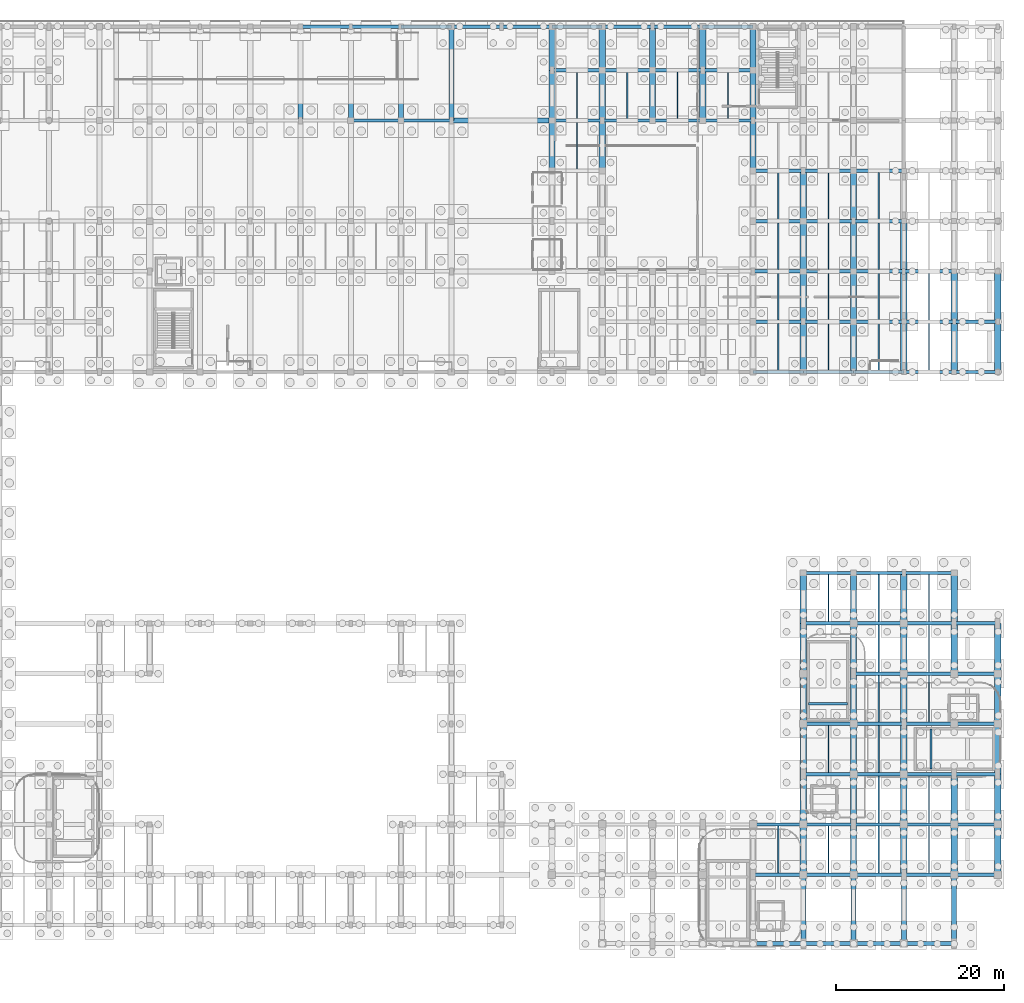
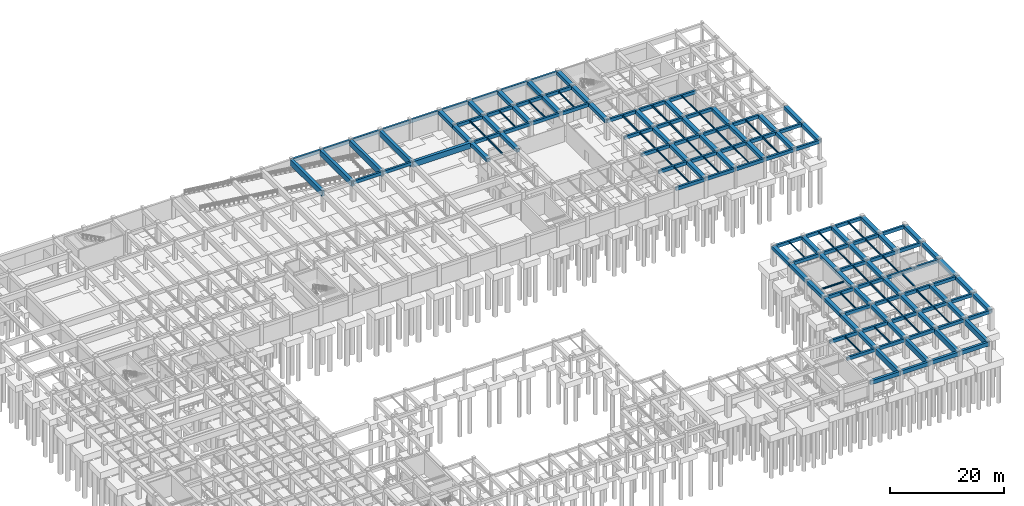
# One storey, part 15 of 32: 171 beams.
"""IFC4 building model written with IfcOpenShell, lengths in metres."""

from ifc_helpers import new_model, si_unit, direction, frame, origin, origin_2d, place, context, subcontext, project, spatial, rectangle, i_section, extrude, material, material_profile, profile_set, type_object, element, save


model = new_model("IFC4")

# Units and contexts
model_context = context("Model", 3, precision=1e-05, world=origin(), true_north=direction((0.0, 1.0)))
body_context = subcontext(model_context, "Body", "Model", "MODEL_VIEW")
ifc_project = project(units=[si_unit("LENGTHUNIT", "METRE"), si_unit("AREAUNIT", "SQUARE_METRE"), si_unit("VOLUMEUNIT", "CUBIC_METRE"), si_unit("PLANEANGLEUNIT", "RADIAN"), si_unit("MASSUNIT", "GRAM", prefix="KILO")], contexts=[model_context])

# Site, building, storey
site_placement = place(None, origin())
site = spatial("IfcSite", under=ifc_project, at=site_placement, CompositionType="ELEMENT")
building_placement = place(site_placement, origin())
building = spatial("IfcBuilding", under=site, at=building_placement, Name="Varnakota Square Police Headquarters", CompositionType="ELEMENT")
storey_placement = place(building_placement, frame((0.0, 0.0, -4.5)))
storey = spatial("IfcBuildingStorey", under=building, at=storey_placement, Name="B1", CompositionType="ELEMENT", Elevation=-4.5)

# Beams
ifc_material_1 = material(Name="Steel IS 2062 Grade 350", Category="steel")
ifc_material_profile_1 = material_profile(ifc_material_1, i_section(OverallWidth=0.25, OverallDepth=0.300048828125, WebThickness=0.009521484375, FlangeThickness=0.010498046875, FilletRadius=0.011962890625, at=origin_2d()), Name="ISHB 300")
ifc_profile_set_1 = profile_set([ifc_material_profile_1], Name="Steel IS 2062 Grade 350")
beam_type_1 = type_object("IfcBeamType", Name="BM-ISHB300", PredefinedType="BEAM", material=ifc_profile_set_1)
beam_1_placement = place(storey_placement, frame((153.25, 21.60009765625, 4.070068359375), z_axis=(0.0, 1.0, 0.0), x_axis=(-1.0, 0.0, 0.0)))
element("IfcBeam", 1, at=beam_1_placement, inside=storey, type_object=beam_type_1, Name="Stair landing support beam BM-LND-0018", PredefinedType="BEAM", context=body_context, shape_type="SweptSolid", body=[
    extrude(i_section(OverallWidth=0.25, OverallDepth=0.300048828125, WebThickness=0.009521484375, FlangeThickness=0.010498046875, FilletRadius=0.011962890625, at=origin_2d()), origin(), (0.0, 0.0, 1.0), 4.7998046875),
])
beam_2_placement = place(storey_placement, frame((138.60009765625, 29.400146484375, 4.070068359375), z_axis=(1.0, 0.0, 0.0), x_axis=(0.0, 1.0, 0.0)))
element("IfcBeam", 2, at=beam_2_placement, inside=storey, type_object=beam_type_1, Name="Stair landing support beam BM-LND-0033", PredefinedType="BEAM", context=body_context, shape_type="SweptSolid", body=[
    extrude(i_section(OverallWidth=0.25, OverallDepth=0.300048828125, WebThickness=0.009521484375, FlangeThickness=0.010498046875, FilletRadius=0.011962890625, at=origin_2d()), origin(), (0.0, 0.0, 1.0), 4.699951171875),
])
ifc_material_profile_2 = material_profile(ifc_material_1, i_section(OverallWidth=0.139892578125, OverallDepth=0.300048828125, WebThickness=0.0078125, FlangeThickness=0.01318359375, FilletRadius=0.013916015625, at=origin_2d()), Name="ISMB 300")
ifc_profile_set_2 = profile_set([ifc_material_profile_2], Name="Steel IS 2062 Grade 350")
beam_type_2 = type_object("IfcBeamType", Name="BM-ISMB300", PredefinedType="JOIST", material=ifc_profile_set_2)
for number, where, z_axis, x_axis, name in (
    (3, (117.0, 99.197998046875, 4.050048828125), (0.0, 1.0, 0.0), (-1.0, 0.0, 0.0), "BMG-B1-0644"),
    (4, (135.0, 9.197998046875, 4.050048828125), (0.0, 1.0, 0.0), (-1.0, 0.0, 0.0), "BMG-B1-0652"),
    (5, (135.0, 81.197998046875, 4.050048828125), (0.0, 1.0, 0.0), (-1.0, 0.0, 0.0), "BMG-B1-0655"),
    (6, (141.0, 21.197998046875, 4.050048828125), (0.0, 1.0, 0.0), (-1.0, 0.0, 0.0), "BMG-B1-0659"),
    (7, (141.0, 39.197998046875, 4.050048828125), (0.0, 1.0, 0.0), (-1.0, 0.0, 0.0), "BMG-B1-0660"),
    (8, (141.0, 75.197998046875, 4.050048828125), (0.0, 1.0, 0.0), (-1.0, 0.0, 0.0), "BMG-B1-0662"),
    (9, (147.0, 15.197998046875, 4.050048828125), (0.0, 1.0, 0.0), (-1.0, 0.0, 0.0), "BMG-B1-0668"),
    (10, (147.0, 33.197998046875, 4.050048828125), (0.0, 1.0, 0.0), (-1.0, 0.0, 0.0), "BMG-B1-0671"),
    (11, (147.0, 69.197998046875, 4.050048828125), (0.0, 1.0, 0.0), (-1.0, 0.0, 0.0), "BMG-B1-0673"),
    (12, (147.0, 87.197998046875, 4.050048828125), (0.0, 1.0, 0.0), (-1.0, 0.0, 0.0), "BMG-B1-0676"),
    (13, (153.0, 9.197998046875, 4.050048828125), (0.0, 1.0, 0.0), (-1.0, 0.0, 0.0), "BMG-B1-0677"),
    (14, (153.0, 27.197998046875, 4.050048828125), (0.0, 1.0, 0.0), (-1.0, 0.0, 0.0), "BMG-B1-0679"),
):
    element("IfcBeam", number, at=place(storey_placement, frame(where, z_axis=z_axis, x_axis=x_axis)), inside=storey, type_object=beam_type_2, Name=name, PredefinedType="JOIST", context=body_context, shape_type="SweptSolid", body=[
        extrude(i_section(OverallWidth=0.139892578125, OverallDepth=0.300048828125, WebThickness=0.0078125, FlangeThickness=0.01318359375, FilletRadius=0.013916015625, at=origin_2d()), origin(), (0.0, 0.0, 1.0), 5.60400390625),
    ])
ifc_material_profile_3 = material_profile(ifc_material_1, i_section(OverallWidth=0.139892578125, OverallDepth=0.35009765625, WebThickness=0.008056640625, FlangeThickness=0.01416015625, FilletRadius=0.013916015625, at=origin_2d()), Name="ISMB 350")
ifc_profile_set_3 = profile_set([ifc_material_profile_3], Name="Steel IS 2062 Grade 350")
beam_type_3 = type_object("IfcBeamType", Name="BM-ISMB350", PredefinedType="JOIST", material=ifc_profile_set_3)
for number, where, z_axis, x_axis, name in (
    (15, (111.0, 99.197998046875, 4.02490234375), (0.0, 1.0, 0.0), (-1.0, 0.0, 0.0), "BMG-B1-0640"),
    (16, (129.0, 99.197998046875, 4.02490234375), (0.0, 1.0, 0.0), (-1.0, 0.0, 0.0), "BMG-B1-0651"),
    (17, (135.0, 75.197998046875, 4.02490234375), (0.0, 1.0, 0.0), (-1.0, 0.0, 0.0), "BMG-B1-0654"),
    (18, (141.0, 69.197998046875, 4.02490234375), (0.0, 1.0, 0.0), (-1.0, 0.0, 0.0), "BMG-B1-0661"),
    (19, (141.0, 87.197998046875, 4.02490234375), (0.0, 1.0, 0.0), (-1.0, 0.0, 0.0), "BMG-B1-0664"),
    (20, (147.0, 9.197998046875, 4.02490234375), (0.0, 1.0, 0.0), (-1.0, 0.0, 0.0), "BMG-B1-0667"),
    (21, (147.0, 27.197998046875, 4.02490234375), (0.0, 1.0, 0.0), (-1.0, 0.0, 0.0), "BMG-B1-0670"),
    (22, (147.0, 81.197998046875, 4.02490234375), (0.0, 1.0, 0.0), (-1.0, 0.0, 0.0), "BMG-B1-0675"),
    (23, (153.0, 39.197998046875, 4.02490234375), (0.0, 1.0, 0.0), (-1.0, 0.0, 0.0), "BMG-B1-0681"),
    (24, (153.0, 75.197998046875, 4.02490234375), (0.0, 1.0, 0.0), (-1.0, 0.0, 0.0), "BMG-B1-0683"),
):
    element("IfcBeam", number, at=place(storey_placement, frame(where, z_axis=z_axis, x_axis=x_axis)), inside=storey, type_object=beam_type_3, Name=name, PredefinedType="JOIST", context=body_context, shape_type="SweptSolid", body=[
        extrude(i_section(OverallWidth=0.139892578125, OverallDepth=0.35009765625, WebThickness=0.008056640625, FlangeThickness=0.01416015625, FilletRadius=0.013916015625, at=origin_2d()), origin(), (0.0, 0.0, 1.0), 5.60400390625),
    ])
ifc_material_profile_4 = material_profile(ifc_material_1, i_section(OverallWidth=0.139892578125, OverallDepth=0.39990234375, WebThickness=0.0087890625, FlangeThickness=0.01611328125, FilletRadius=0.013916015625, at=origin_2d()), Name="ISMB 400")
ifc_profile_set_4 = profile_set([ifc_material_profile_4], Name="Steel IS 2062 Grade 350")
beam_type_4 = type_object("IfcBeamType", Name="BM-ISMB400", PredefinedType="JOIST", material=ifc_profile_set_4)
for number, where, z_axis, x_axis, name in (
    (25, (111.0, 93.197998046875, 4.0), (0.0, 1.0, 0.0), (-1.0, 0.0, 0.0), "BMG-B1-0639"),
    (26, (123.0, 99.197998046875, 4.0), (0.0, 1.0, 0.0), (-1.0, 0.0, 0.0), "BMG-B1-0648"),
    (27, (135.0, 69.197998046875, 4.0), (0.0, 1.0, 0.0), (-1.0, 0.0, 0.0), "BMG-B1-0653"),
    (28, (135.0, 87.197998046875, 4.0), (0.0, 1.0, 0.0), (-1.0, 0.0, 0.0), "BMG-B1-0656"),
    (29, (141.0, 9.197998046875, 4.0), (0.0, 1.0, 0.0), (-1.0, 0.0, 0.0), "BMG-B1-0658"),
    (30, (141.0, 81.197998046875, 4.0), (0.0, 1.0, 0.0), (-1.0, 0.0, 0.0), "BMG-B1-0663"),
    (31, (147.0, 21.197998046875, 4.0), (0.0, 1.0, 0.0), (-1.0, 0.0, 0.0), "BMG-B1-0669"),
    (32, (147.0, 39.197998046875, 4.0), (0.0, 1.0, 0.0), (-1.0, 0.0, 0.0), "BMG-B1-0672"),
    (33, (147.0, 75.197998046875, 4.0), (0.0, 1.0, 0.0), (-1.0, 0.0, 0.0), "BMG-B1-0674"),
    (34, (153.0, 15.197998046875, 4.0), (0.0, 1.0, 0.0), (-1.0, 0.0, 0.0), "BMG-B1-0678"),
    (35, (153.0, 33.197998046875, 4.0), (0.0, 1.0, 0.0), (-1.0, 0.0, 0.0), "BMG-B1-0680"),
    (36, (153.0, 69.197998046875, 4.0), (0.0, 1.0, 0.0), (-1.0, 0.0, 0.0), "BMG-B1-0682"),
):
    element("IfcBeam", number, at=place(storey_placement, frame(where, z_axis=z_axis, x_axis=x_axis)), inside=storey, type_object=beam_type_4, Name=name, PredefinedType="JOIST", context=body_context, shape_type="SweptSolid", body=[
        extrude(i_section(OverallWidth=0.139892578125, OverallDepth=0.39990234375, WebThickness=0.0087890625, FlangeThickness=0.01611328125, FilletRadius=0.013916015625, at=origin_2d()), origin(), (0.0, 0.0, 1.0), 5.60400390625),
    ])
ifc_material_2 = material(Name="Concrete M40", Category="concrete")
ifc_material_profile_5 = material_profile(ifc_material_2, rectangle(XDim=0.39990234375, YDim=0.699951171875, at=origin_2d()), Name="RC 400x700")
ifc_profile_set_5 = profile_set([ifc_material_profile_5], Name="Concrete M40")
beam_type_5 = type_object("IfcBeamType", Name="BM-RC400x700", PredefinedType="BEAM", material=ifc_profile_set_5)
for number, where, z_axis, x_axis, name in (
    (37, (132.0, 9.0, 3.85009765625), (1.0, 0.0, 0.0), (0.0, 1.0, 0.0), "BMG-B1-0040"),
    (38, (138.0, 9.0, 3.85009765625), (1.0, 0.0, 0.0), (0.0, 1.0, 0.0), "BMG-B1-0041"),
    (39, (144.0, 9.0, 3.85009765625), (1.0, 0.0, 0.0), (0.0, 1.0, 0.0), "BMG-B1-0042"),
    (40, (150.0, 9.0, 3.85009765625), (1.0, 0.0, 0.0), (0.0, 1.0, 0.0), "BMG-B1-0043"),
):
    element("IfcBeam", number, at=place(storey_placement, frame(where, z_axis=z_axis, x_axis=x_axis)), inside=storey, type_object=beam_type_5, Name=name, PredefinedType="BEAM", context=body_context, shape_type="SweptSolid", body=[
        extrude(rectangle(XDim=0.39990234375, YDim=0.699951171875, at=origin_2d()), origin(), (0.0, 0.0, 1.0), 6.0),
    ])
beam_3_placement = place(storey_placement, frame((156.0, 9.0, 3.85009765625), z_axis=(1.0, 0.0, 0.0), x_axis=(0.0, 1.0, 0.0)))
element("IfcBeam", 41, at=beam_3_placement, inside=storey, type_object=beam_type_5, Name="BMG-B1-0044", PredefinedType="BEAM", context=body_context, shape_type="SweptSolid", body=[
    extrude(rectangle(XDim=0.39990234375, YDim=0.699951171875, at=origin_2d()), origin(), (0.0, 0.0, 1.0), 5.199951171875),
])
for number, where, z_axis, x_axis, name in (
    (42, (132.0, 15.0, 3.85009765625), (1.0, 0.0, 0.0), (0.0, 1.0, 0.0), "BMG-B1-0059"),
    (43, (138.0, 15.0, 3.85009765625), (1.0, 0.0, 0.0), (0.0, 1.0, 0.0), "BMG-B1-0060"),
    (44, (144.0, 15.0, 3.85009765625), (1.0, 0.0, 0.0), (0.0, 1.0, 0.0), "BMG-B1-0061"),
    (45, (150.0, 15.0, 3.85009765625), (1.0, 0.0, 0.0), (0.0, 1.0, 0.0), "BMG-B1-0062"),
):
    element("IfcBeam", number, at=place(storey_placement, frame(where, z_axis=z_axis, x_axis=x_axis)), inside=storey, type_object=beam_type_5, Name=name, PredefinedType="BEAM", context=body_context, shape_type="SweptSolid", body=[
        extrude(rectangle(XDim=0.39990234375, YDim=0.699951171875, at=origin_2d()), origin(), (0.0, 0.0, 1.0), 6.0),
    ])
beam_4_placement = place(storey_placement, frame((156.0, 15.0, 3.85009765625), z_axis=(1.0, 0.0, 0.0), x_axis=(0.0, 1.0, 0.0)))
element("IfcBeam", 46, at=beam_4_placement, inside=storey, type_object=beam_type_5, Name="BMG-B1-0063", PredefinedType="BEAM", context=body_context, shape_type="SweptSolid", body=[
    extrude(rectangle(XDim=0.39990234375, YDim=0.699951171875, at=origin_2d()), origin(), (0.0, 0.0, 1.0), 5.199951171875),
])
for number, where, z_axis, x_axis, name in (
    (47, (138.0, 21.0, 3.85009765625), (1.0, 0.0, 0.0), (0.0, 1.0, 0.0), "BMG-B1-0073"),
    (48, (144.0, 21.0, 3.85009765625), (1.0, 0.0, 0.0), (0.0, 1.0, 0.0), "BMG-B1-0074"),
    (49, (150.0, 21.0, 3.85009765625), (1.0, 0.0, 0.0), (0.0, 1.0, 0.0), "BMG-B1-0075"),
):
    element("IfcBeam", number, at=place(storey_placement, frame(where, z_axis=z_axis, x_axis=x_axis)), inside=storey, type_object=beam_type_5, Name=name, PredefinedType="BEAM", context=body_context, shape_type="SweptSolid", body=[
        extrude(rectangle(XDim=0.39990234375, YDim=0.699951171875, at=origin_2d()), origin(), (0.0, 0.0, 1.0), 6.0),
    ])
beam_5_placement = place(storey_placement, frame((156.0, 21.0, 3.85009765625), z_axis=(1.0, 0.0, 0.0), x_axis=(0.0, 1.0, 0.0)))
element("IfcBeam", 50, at=beam_5_placement, inside=storey, type_object=beam_type_5, Name="BMG-B1-0076", PredefinedType="BEAM", context=body_context, shape_type="SweptSolid", body=[
    extrude(rectangle(XDim=0.39990234375, YDim=0.699951171875, at=origin_2d()), origin(), (0.0, 0.0, 1.0), 5.199951171875),
])
for number, where, z_axis, x_axis, name in (
    (51, (138.0, 27.0, 3.85009765625), (1.0, 0.0, 0.0), (0.0, 1.0, 0.0), "BMG-B1-0083"),
    (52, (144.0, 27.0, 3.85009765625), (1.0, 0.0, 0.0), (0.0, 1.0, 0.0), "BMG-B1-0084"),
    (53, (150.0, 27.0, 3.85009765625), (1.0, 0.0, 0.0), (0.0, 1.0, 0.0), "BMG-B1-0085"),
):
    element("IfcBeam", number, at=place(storey_placement, frame(where, z_axis=z_axis, x_axis=x_axis)), inside=storey, type_object=beam_type_5, Name=name, PredefinedType="BEAM", context=body_context, shape_type="SweptSolid", body=[
        extrude(rectangle(XDim=0.39990234375, YDim=0.699951171875, at=origin_2d()), origin(), (0.0, 0.0, 1.0), 6.0),
    ])
beam_6_placement = place(storey_placement, frame((156.0, 27.0, 3.85009765625), z_axis=(1.0, 0.0, 0.0), x_axis=(0.0, 1.0, 0.0)))
element("IfcBeam", 54, at=beam_6_placement, inside=storey, type_object=beam_type_5, Name="BMG-B1-0086", PredefinedType="BEAM", context=body_context, shape_type="SweptSolid", body=[
    extrude(rectangle(XDim=0.39990234375, YDim=0.699951171875, at=origin_2d()), origin(), (0.0, 0.0, 1.0), 5.199951171875),
])
for number, where, z_axis, x_axis, name in (
    (55, (144.0, 33.0, 3.85009765625), (1.0, 0.0, 0.0), (0.0, 1.0, 0.0), "BMG-B1-0094"),
    (56, (150.0, 33.0, 3.85009765625), (1.0, 0.0, 0.0), (0.0, 1.0, 0.0), "BMG-B1-0095"),
):
    element("IfcBeam", number, at=place(storey_placement, frame(where, z_axis=z_axis, x_axis=x_axis)), inside=storey, type_object=beam_type_5, Name=name, PredefinedType="BEAM", context=body_context, shape_type="SweptSolid", body=[
        extrude(rectangle(XDim=0.39990234375, YDim=0.699951171875, at=origin_2d()), origin(), (0.0, 0.0, 1.0), 6.0),
    ])
beam_7_placement = place(storey_placement, frame((156.0, 33.0, 3.85009765625), z_axis=(1.0, 0.0, 0.0), x_axis=(0.0, 1.0, 0.0)))
element("IfcBeam", 57, at=beam_7_placement, inside=storey, type_object=beam_type_5, Name="BMG-B1-0096", PredefinedType="BEAM", context=body_context, shape_type="SweptSolid", body=[
    extrude(rectangle(XDim=0.39990234375, YDim=0.699951171875, at=origin_2d()), origin(), (0.0, 0.0, 1.0), 5.199951171875),
])
for number, where, z_axis, x_axis, name in (
    (58, (138.0, 39.0, 3.85009765625), (1.0, 0.0, 0.0), (0.0, 1.0, 0.0), "BMG-B1-0110"),
    (59, (144.0, 39.0, 3.85009765625), (1.0, 0.0, 0.0), (0.0, 1.0, 0.0), "BMG-B1-0111"),
    (60, (150.0, 39.0, 3.85009765625), (1.0, 0.0, 0.0), (0.0, 1.0, 0.0), "BMG-B1-0112"),
):
    element("IfcBeam", number, at=place(storey_placement, frame(where, z_axis=z_axis, x_axis=x_axis)), inside=storey, type_object=beam_type_5, Name=name, PredefinedType="BEAM", context=body_context, shape_type="SweptSolid", body=[
        extrude(rectangle(XDim=0.39990234375, YDim=0.699951171875, at=origin_2d()), origin(), (0.0, 0.0, 1.0), 6.0),
    ])
beam_8_placement = place(storey_placement, frame((156.0, 39.0, 3.85009765625), z_axis=(1.0, 0.0, 0.0), x_axis=(0.0, 1.0, 0.0)))
element("IfcBeam", 61, at=beam_8_placement, inside=storey, type_object=beam_type_5, Name="BMG-B1-0113", PredefinedType="BEAM", context=body_context, shape_type="SweptSolid", body=[
    extrude(rectangle(XDim=0.39990234375, YDim=0.699951171875, at=origin_2d()), origin(), (0.0, 0.0, 1.0), 5.199951171875),
])
for number, where, z_axis, x_axis, name in (
    (62, (138.0, 45.0, 3.85009765625), (1.0, 0.0, 0.0), (0.0, 1.0, 0.0), "BMG-B1-0119"),
    (63, (144.0, 45.0, 3.85009765625), (1.0, 0.0, 0.0), (0.0, 1.0, 0.0), "BMG-B1-0120"),
    (64, (150.0, 45.0, 3.85009765625), (1.0, 0.0, 0.0), (0.0, 1.0, 0.0), "BMG-B1-0121"),
    (65, (132.0, 69.0, 3.85009765625), (1.0, 0.0, 0.0), (0.0, 1.0, 0.0), "BMG-B1-0159"),
    (66, (138.0, 69.0, 3.85009765625), (1.0, 0.0, 0.0), (0.0, 1.0, 0.0), "BMG-B1-0160"),
    (67, (144.0, 69.0, 3.85009765625), (1.0, 0.0, 0.0), (0.0, 1.0, 0.0), "BMG-B1-0161"),
    (68, (150.0, 69.0, 3.85009765625), (1.0, 0.0, 0.0), (0.0, 1.0, 0.0), "BMG-B1-0162"),
):
    element("IfcBeam", number, at=place(storey_placement, frame(where, z_axis=z_axis, x_axis=x_axis)), inside=storey, type_object=beam_type_5, Name=name, PredefinedType="BEAM", context=body_context, shape_type="SweptSolid", body=[
        extrude(rectangle(XDim=0.39990234375, YDim=0.699951171875, at=origin_2d()), origin(), (0.0, 0.0, 1.0), 6.0),
    ])
beam_9_placement = place(storey_placement, frame((156.0, 69.0, 3.85009765625), z_axis=(1.0, 0.0, 0.0), x_axis=(0.0, 1.0, 0.0)))
element("IfcBeam", 69, at=beam_9_placement, inside=storey, type_object=beam_type_5, Name="BMG-B1-0163", PredefinedType="BEAM", context=body_context, shape_type="SweptSolid", body=[
    extrude(rectangle(XDim=0.39990234375, YDim=0.699951171875, at=origin_2d()), origin(), (0.0, 0.0, 1.0), 5.199951171875),
])
for number, where, z_axis, x_axis, name in (
    (70, (132.0, 75.0, 3.85009765625), (1.0, 0.0, 0.0), (0.0, 1.0, 0.0), "BMG-B1-0174"),
    (71, (138.0, 75.0, 3.85009765625), (1.0, 0.0, 0.0), (0.0, 1.0, 0.0), "BMG-B1-0175"),
    (72, (144.0, 75.0, 3.85009765625), (1.0, 0.0, 0.0), (0.0, 1.0, 0.0), "BMG-B1-0176"),
    (73, (150.0, 75.0, 3.85009765625), (1.0, 0.0, 0.0), (0.0, 1.0, 0.0), "BMG-B1-0177"),
):
    element("IfcBeam", number, at=place(storey_placement, frame(where, z_axis=z_axis, x_axis=x_axis)), inside=storey, type_object=beam_type_5, Name=name, PredefinedType="BEAM", context=body_context, shape_type="SweptSolid", body=[
        extrude(rectangle(XDim=0.39990234375, YDim=0.699951171875, at=origin_2d()), origin(), (0.0, 0.0, 1.0), 6.0),
    ])
beam_10_placement = place(storey_placement, frame((156.0, 75.0, 3.85009765625), z_axis=(1.0, 0.0, 0.0), x_axis=(0.0, 1.0, 0.0)))
element("IfcBeam", 74, at=beam_10_placement, inside=storey, type_object=beam_type_5, Name="BMG-B1-0178", PredefinedType="BEAM", context=body_context, shape_type="SweptSolid", body=[
    extrude(rectangle(XDim=0.39990234375, YDim=0.699951171875, at=origin_2d()), origin(), (0.0, 0.0, 1.0), 5.199951171875),
])
for number, where, z_axis, x_axis, name in (
    (75, (132.0, 81.0, 3.85009765625), (1.0, 0.0, 0.0), (0.0, 1.0, 0.0), "BMG-B1-0196"),
    (76, (138.0, 81.0, 3.85009765625), (1.0, 0.0, 0.0), (0.0, 1.0, 0.0), "BMG-B1-0197"),
    (77, (144.0, 81.0, 3.85009765625), (1.0, 0.0, 0.0), (0.0, 1.0, 0.0), "BMG-B1-0198"),
    (78, (150.0, 81.0, 3.85009765625), (1.0, 0.0, 0.0), (0.0, 1.0, 0.0), "BMG-B1-0199"),
    (79, (132.0, 87.0, 3.85009765625), (1.0, 0.0, 0.0), (0.0, 1.0, 0.0), "BMG-B1-0216"),
    (80, (138.0, 87.0, 3.85009765625), (1.0, 0.0, 0.0), (0.0, 1.0, 0.0), "BMG-B1-0217"),
    (81, (144.0, 87.0, 3.85009765625), (1.0, 0.0, 0.0), (0.0, 1.0, 0.0), "BMG-B1-0218"),
    (82, (132.0, 93.0, 3.85009765625), (1.0, 0.0, 0.0), (0.0, 1.0, 0.0), "BMG-B1-0222"),
    (83, (138.0, 93.0, 3.85009765625), (1.0, 0.0, 0.0), (0.0, 1.0, 0.0), "BMG-B1-0223"),
    (84, (144.0, 93.0, 3.85009765625), (1.0, 0.0, 0.0), (0.0, 1.0, 0.0), "BMG-B1-0224"),
    (85, (84.0, 99.0, 3.85009765625), (1.0, 0.0, 0.0), (0.0, 1.0, 0.0), "BMG-B1-0238"),
    (86, (90.0, 99.0, 3.85009765625), (1.0, 0.0, 0.0), (0.0, 1.0, 0.0), "BMG-B1-0239"),
    (87, (108.0, 99.0, 3.85009765625), (1.0, 0.0, 0.0), (0.0, 1.0, 0.0), "BMG-B1-0241"),
    (88, (114.0, 99.0, 3.85009765625), (1.0, 0.0, 0.0), (0.0, 1.0, 0.0), "BMG-B1-0242"),
    (89, (120.0, 99.0, 3.85009765625), (1.0, 0.0, 0.0), (0.0, 1.0, 0.0), "BMG-B1-0243"),
    (90, (126.0, 99.0, 3.85009765625), (1.0, 0.0, 0.0), (0.0, 1.0, 0.0), "BMG-B1-0244"),
    (91, (108.0, 105.0, 3.85009765625), (1.0, 0.0, 0.0), (0.0, 1.0, 0.0), "BMG-B1-0253"),
    (92, (114.0, 105.0, 3.85009765625), (1.0, 0.0, 0.0), (0.0, 1.0, 0.0), "BMG-B1-0254"),
    (93, (120.0, 105.0, 3.85009765625), (1.0, 0.0, 0.0), (0.0, 1.0, 0.0), "BMG-B1-0255"),
    (94, (126.0, 105.0, 3.85009765625), (1.0, 0.0, 0.0), (0.0, 1.0, 0.0), "BMG-B1-0256"),
    (95, (78.0, 110.199951171875, 3.85009765625), (1.0, 0.0, 0.0), (0.0, 1.0, 0.0), "BMG-B1-0270"),
    (96, (84.0, 110.199951171875, 3.85009765625), (1.0, 0.0, 0.0), (0.0, 1.0, 0.0), "BMG-B1-0271"),
    (97, (90.0, 110.199951171875, 3.85009765625), (1.0, 0.0, 0.0), (0.0, 1.0, 0.0), "BMG-B1-0272"),
    (98, (96.0, 110.199951171875, 3.85009765625), (1.0, 0.0, 0.0), (0.0, 1.0, 0.0), "BMG-B1-0273"),
    (99, (102.0, 110.199951171875, 3.85009765625), (1.0, 0.0, 0.0), (0.0, 1.0, 0.0), "BMG-B1-0274"),
    (100, (108.0, 110.199951171875, 3.85009765625), (1.0, 0.0, 0.0), (0.0, 1.0, 0.0), "BMG-B1-0275"),
    (101, (114.0, 110.199951171875, 3.85009765625), (1.0, 0.0, 0.0), (0.0, 1.0, 0.0), "BMG-B1-0276"),
    (102, (120.0, 110.199951171875, 3.85009765625), (1.0, 0.0, 0.0), (0.0, 1.0, 0.0), "BMG-B1-0277"),
    (103, (126.0, 110.199951171875, 3.85009765625), (1.0, 0.0, 0.0), (0.0, 1.0, 0.0), "BMG-B1-0278"),
):
    element("IfcBeam", number, at=place(storey_placement, frame(where, z_axis=z_axis, x_axis=x_axis)), inside=storey, type_object=beam_type_5, Name=name, PredefinedType="BEAM", context=body_context, shape_type="SweptSolid", body=[
        extrude(rectangle(XDim=0.39990234375, YDim=0.699951171875, at=origin_2d()), origin(), (0.0, 0.0, 1.0), 6.0),
    ])
ifc_material_profile_6 = material_profile(ifc_material_2, rectangle(XDim=0.5, YDim=0.85009765625, at=origin_2d()), Name="RC 500x850")
ifc_profile_set_6 = profile_set([ifc_material_profile_6], Name="Concrete M40")
beam_type_6 = type_object("IfcBeamType", Name="BM-RC500x850", PredefinedType="BEAM", material=ifc_profile_set_6)
for number, where, z_axis, x_axis, name in (
    (104, (132.0, 0.800048828125, 3.77490234375), (1.0, 0.0, 0.0), (0.0, 1.0, 0.0), "BMG-B1-0004"),
    (105, (138.0, 0.800048828125, 3.77490234375), (1.0, 0.0, 0.0), (0.0, 1.0, 0.0), "BMG-B1-0005"),
    (106, (144.0, 0.800048828125, 3.77490234375), (1.0, 0.0, 0.0), (0.0, 1.0, 0.0), "BMG-B1-0006"),
    (107, (150.0, 0.800048828125, 3.77490234375), (1.0, 0.0, 0.0), (0.0, 1.0, 0.0), "BMG-B1-0007"),
):
    element("IfcBeam", number, at=place(storey_placement, frame(where, z_axis=z_axis, x_axis=x_axis)), inside=storey, type_object=beam_type_6, Name=name, PredefinedType="BEAM", context=body_context, shape_type="SweptSolid", body=[
        extrude(rectangle(XDim=0.5, YDim=0.85009765625, at=origin_2d()), origin(), (0.0, 0.0, 1.0), 6.0),
    ])
ifc_material_3 = material(Name="Concrete M50", Category="concrete")
ifc_material_profile_7 = material_profile(ifc_material_3, rectangle(XDim=0.60009765625, YDim=1.199951171875, at=origin_2d()), Name="RC 600x1200")
ifc_profile_set_7 = profile_set([ifc_material_profile_7], Name="Concrete M50")
beam_type_7 = type_object("IfcBeamType", Name="BM-RC600x1200", PredefinedType="BEAM", material=ifc_profile_set_7)
beam_11_placement = place(storey_placement, frame((96.0, 99.0, 3.60009765625), z_axis=(1.0, 0.0, 0.0), x_axis=(0.0, 1.0, 0.0)))
element("IfcBeam", 108, at=beam_11_placement, inside=storey, type_object=beam_type_7, Name="BMG-B1-0240", PredefinedType="BEAM", context=body_context, shape_type="SweptSolid", body=[
    extrude(rectangle(XDim=0.60009765625, YDim=1.199951171875, at=origin_2d()), origin(), (0.0, 0.0, 1.0), 12.0),
])
for number, where, z_axis, x_axis, name in (
    (109, (78.0, 99.0, 3.60009765625), (0.0, 1.0, 0.0), (-1.0, 0.0, 0.0), "BMG-B1-0426"),
    (110, (84.0, 99.0, 3.60009765625), (0.0, 1.0, 0.0), (-1.0, 0.0, 0.0), "BMG-B1-0431"),
    (111, (90.0, 99.0, 3.60009765625), (0.0, 1.0, 0.0), (-1.0, 0.0, 0.0), "BMG-B1-0438"),
    (112, (96.0, 99.0, 3.60009765625), (0.0, 1.0, 0.0), (-1.0, 0.0, 0.0), "BMG-B1-0448"),
):
    element("IfcBeam", number, at=place(storey_placement, frame(where, z_axis=z_axis, x_axis=x_axis)), inside=storey, type_object=beam_type_7, Name=name, PredefinedType="BEAM", context=body_context, shape_type="SweptSolid", body=[
        extrude(rectangle(XDim=0.60009765625, YDim=1.199951171875, at=origin_2d()), origin(), (0.0, 0.0, 1.0), 11.199951171875),
    ])
for number, where, z_axis, x_axis, name in (
    (113, (138.0, 0.800048828125, 3.60009765625), (0.0, 1.0, 0.0), (-1.0, 0.0, 0.0), "BMG-B1-0487"),
    (114, (144.0, 0.800048828125, 3.60009765625), (0.0, 1.0, 0.0), (-1.0, 0.0, 0.0), "BMG-B1-0501"),
    (115, (150.0, 0.800048828125, 3.60009765625), (0.0, 1.0, 0.0), (-1.0, 0.0, 0.0), "BMG-B1-0515"),
    (116, (156.0, 0.800048828125, 3.60009765625), (0.0, 1.0, 0.0), (-1.0, 0.0, 0.0), "BMG-B1-0526"),
):
    element("IfcBeam", number, at=place(storey_placement, frame(where, z_axis=z_axis, x_axis=x_axis)), inside=storey, type_object=beam_type_7, Name=name, PredefinedType="BEAM", context=body_context, shape_type="SweptSolid", body=[
        extrude(rectangle(XDim=0.60009765625, YDim=1.199951171875, at=origin_2d()), origin(), (0.0, 0.0, 1.0), 8.199951171875),
    ])
ifc_material_profile_8 = material_profile(ifc_material_3, rectangle(XDim=0.75, YDim=0.75, at=origin_2d()), Name="RC 750x750")
ifc_profile_set_8 = profile_set([ifc_material_profile_8], Name="Concrete M50")
beam_type_8 = type_object("IfcBeamType", Name="BM-RC750x750", PredefinedType="BEAM", material=ifc_profile_set_8)
for number, where, z_axis, x_axis, name in (
    (117, (108.0, 93.0, 3.824951171875), (0.0, 1.0, 0.0), (-1.0, 0.0, 0.0), "BMG-B1-0454"),
    (118, (108.0, 99.0, 3.824951171875), (0.0, 1.0, 0.0), (-1.0, 0.0, 0.0), "BMG-B1-0455"),
):
    element("IfcBeam", number, at=place(storey_placement, frame(where, z_axis=z_axis, x_axis=x_axis)), inside=storey, type_object=beam_type_8, Name=name, PredefinedType="BEAM", context=body_context, shape_type="SweptSolid", body=[
        extrude(rectangle(XDim=0.75, YDim=0.75, at=origin_2d()), origin(), (0.0, 0.0, 1.0), 6.0),
    ])
beam_12_placement = place(storey_placement, frame((108.0, 105.0, 3.824951171875), z_axis=(0.0, 1.0, 0.0), x_axis=(-1.0, 0.0, 0.0)))
element("IfcBeam", 119, at=beam_12_placement, inside=storey, type_object=beam_type_8, Name="BMG-B1-0456", PredefinedType="BEAM", context=body_context, shape_type="SweptSolid", body=[
    extrude(rectangle(XDim=0.75, YDim=0.75, at=origin_2d()), origin(), (0.0, 0.0, 1.0), 5.199951171875),
])
for number, where, z_axis, x_axis, name in (
    (120, (114.0, 93.0, 3.824951171875), (0.0, 1.0, 0.0), (-1.0, 0.0, 0.0), "BMG-B1-0463"),
    (121, (114.0, 99.0, 3.824951171875), (0.0, 1.0, 0.0), (-1.0, 0.0, 0.0), "BMG-B1-0464"),
):
    element("IfcBeam", number, at=place(storey_placement, frame(where, z_axis=z_axis, x_axis=x_axis)), inside=storey, type_object=beam_type_8, Name=name, PredefinedType="BEAM", context=body_context, shape_type="SweptSolid", body=[
        extrude(rectangle(XDim=0.75, YDim=0.75, at=origin_2d()), origin(), (0.0, 0.0, 1.0), 6.0),
    ])
beam_13_placement = place(storey_placement, frame((114.0, 105.0, 3.824951171875), z_axis=(0.0, 1.0, 0.0), x_axis=(-1.0, 0.0, 0.0)))
element("IfcBeam", 122, at=beam_13_placement, inside=storey, type_object=beam_type_8, Name="BMG-B1-0465", PredefinedType="BEAM", context=body_context, shape_type="SweptSolid", body=[
    extrude(rectangle(XDim=0.75, YDim=0.75, at=origin_2d()), origin(), (0.0, 0.0, 1.0), 5.199951171875),
])
beam_14_placement = place(storey_placement, frame((120.0, 99.0, 3.824951171875), z_axis=(0.0, 1.0, 0.0), x_axis=(-1.0, 0.0, 0.0)))
element("IfcBeam", 123, at=beam_14_placement, inside=storey, type_object=beam_type_8, Name="BMG-B1-0470", PredefinedType="BEAM", context=body_context, shape_type="SweptSolid", body=[
    extrude(rectangle(XDim=0.75, YDim=0.75, at=origin_2d()), origin(), (0.0, 0.0, 1.0), 6.0),
])
beam_15_placement = place(storey_placement, frame((120.0, 105.0, 3.824951171875), z_axis=(0.0, 1.0, 0.0), x_axis=(-1.0, 0.0, 0.0)))
element("IfcBeam", 124, at=beam_15_placement, inside=storey, type_object=beam_type_8, Name="BMG-B1-0471", PredefinedType="BEAM", context=body_context, shape_type="SweptSolid", body=[
    extrude(rectangle(XDim=0.75, YDim=0.75, at=origin_2d()), origin(), (0.0, 0.0, 1.0), 5.199951171875),
])
beam_16_placement = place(storey_placement, frame((126.0, 99.0, 3.824951171875), z_axis=(0.0, 1.0, 0.0), x_axis=(-1.0, 0.0, 0.0)))
element("IfcBeam", 125, at=beam_16_placement, inside=storey, type_object=beam_type_8, Name="BMG-B1-0476", PredefinedType="BEAM", context=body_context, shape_type="SweptSolid", body=[
    extrude(rectangle(XDim=0.75, YDim=0.75, at=origin_2d()), origin(), (0.0, 0.0, 1.0), 6.0),
])
beam_17_placement = place(storey_placement, frame((126.0, 105.0, 3.824951171875), z_axis=(0.0, 1.0, 0.0), x_axis=(-1.0, 0.0, 0.0)))
element("IfcBeam", 126, at=beam_17_placement, inside=storey, type_object=beam_type_8, Name="BMG-B1-0477", PredefinedType="BEAM", context=body_context, shape_type="SweptSolid", body=[
    extrude(rectangle(XDim=0.75, YDim=0.75, at=origin_2d()), origin(), (0.0, 0.0, 1.0), 5.199951171875),
])
for number, where, z_axis, x_axis, name in (
    (127, (132.0, 93.0, 3.824951171875), (0.0, 1.0, 0.0), (-1.0, 0.0, 0.0), "BMG-B1-0484"),
    (128, (132.0, 99.0, 3.824951171875), (0.0, 1.0, 0.0), (-1.0, 0.0, 0.0), "BMG-B1-0485"),
):
    element("IfcBeam", number, at=place(storey_placement, frame(where, z_axis=z_axis, x_axis=x_axis)), inside=storey, type_object=beam_type_8, Name=name, PredefinedType="BEAM", context=body_context, shape_type="SweptSolid", body=[
        extrude(rectangle(XDim=0.75, YDim=0.75, at=origin_2d()), origin(), (0.0, 0.0, 1.0), 6.0),
    ])
beam_18_placement = place(storey_placement, frame((132.0, 105.0, 3.824951171875), z_axis=(0.0, 1.0, 0.0), x_axis=(-1.0, 0.0, 0.0)))
element("IfcBeam", 129, at=beam_18_placement, inside=storey, type_object=beam_type_8, Name="BMG-B1-0486", PredefinedType="BEAM", context=body_context, shape_type="SweptSolid", body=[
    extrude(rectangle(XDim=0.75, YDim=0.75, at=origin_2d()), origin(), (0.0, 0.0, 1.0), 5.199951171875),
])
for number, where, z_axis, x_axis, name in (
    (130, (138.0, 9.0, 3.824951171875), (0.0, 1.0, 0.0), (-1.0, 0.0, 0.0), "BMG-B1-0488"),
    (131, (138.0, 15.0, 3.824951171875), (0.0, 1.0, 0.0), (-1.0, 0.0, 0.0), "BMG-B1-0489"),
    (132, (138.0, 21.0, 3.824951171875), (0.0, 1.0, 0.0), (-1.0, 0.0, 0.0), "BMG-B1-0490"),
    (133, (138.0, 27.0, 3.824951171875), (0.0, 1.0, 0.0), (-1.0, 0.0, 0.0), "BMG-B1-0491"),
    (134, (138.0, 33.0, 3.824951171875), (0.0, 1.0, 0.0), (-1.0, 0.0, 0.0), "BMG-B1-0492"),
    (135, (138.0, 39.0, 3.824951171875), (0.0, 1.0, 0.0), (-1.0, 0.0, 0.0), "BMG-B1-0493"),
    (136, (138.0, 69.0, 3.824951171875), (0.0, 1.0, 0.0), (-1.0, 0.0, 0.0), "BMG-B1-0494"),
    (137, (138.0, 75.0, 3.824951171875), (0.0, 1.0, 0.0), (-1.0, 0.0, 0.0), "BMG-B1-0495"),
    (138, (138.0, 81.0, 3.824951171875), (0.0, 1.0, 0.0), (-1.0, 0.0, 0.0), "BMG-B1-0496"),
    (139, (138.0, 87.0, 3.824951171875), (0.0, 1.0, 0.0), (-1.0, 0.0, 0.0), "BMG-B1-0497"),
    (140, (144.0, 9.0, 3.824951171875), (0.0, 1.0, 0.0), (-1.0, 0.0, 0.0), "BMG-B1-0502"),
    (141, (144.0, 15.0, 3.824951171875), (0.0, 1.0, 0.0), (-1.0, 0.0, 0.0), "BMG-B1-0503"),
    (142, (144.0, 21.0, 3.824951171875), (0.0, 1.0, 0.0), (-1.0, 0.0, 0.0), "BMG-B1-0504"),
    (143, (144.0, 27.0, 3.824951171875), (0.0, 1.0, 0.0), (-1.0, 0.0, 0.0), "BMG-B1-0505"),
    (144, (144.0, 33.0, 3.824951171875), (0.0, 1.0, 0.0), (-1.0, 0.0, 0.0), "BMG-B1-0506"),
    (145, (144.0, 39.0, 3.824951171875), (0.0, 1.0, 0.0), (-1.0, 0.0, 0.0), "BMG-B1-0507"),
    (146, (144.0, 69.0, 3.824951171875), (0.0, 1.0, 0.0), (-1.0, 0.0, 0.0), "BMG-B1-0508"),
    (147, (144.0, 75.0, 3.824951171875), (0.0, 1.0, 0.0), (-1.0, 0.0, 0.0), "BMG-B1-0509"),
    (148, (144.0, 81.0, 3.824951171875), (0.0, 1.0, 0.0), (-1.0, 0.0, 0.0), "BMG-B1-0510"),
    (149, (144.0, 87.0, 3.824951171875), (0.0, 1.0, 0.0), (-1.0, 0.0, 0.0), "BMG-B1-0511"),
    (150, (150.0, 9.0, 3.824951171875), (0.0, 1.0, 0.0), (-1.0, 0.0, 0.0), "BMG-B1-0516"),
    (151, (150.0, 15.0, 3.824951171875), (0.0, 1.0, 0.0), (-1.0, 0.0, 0.0), "BMG-B1-0517"),
    (152, (150.0, 21.0, 3.824951171875), (0.0, 1.0, 0.0), (-1.0, 0.0, 0.0), "BMG-B1-0518"),
    (153, (150.0, 27.0, 3.824951171875), (0.0, 1.0, 0.0), (-1.0, 0.0, 0.0), "BMG-B1-0519"),
    (154, (150.0, 33.0, 3.824951171875), (0.0, 1.0, 0.0), (-1.0, 0.0, 0.0), "BMG-B1-0520"),
    (155, (150.0, 39.0, 3.824951171875), (0.0, 1.0, 0.0), (-1.0, 0.0, 0.0), "BMG-B1-0521"),
    (156, (150.0, 69.0, 3.824951171875), (0.0, 1.0, 0.0), (-1.0, 0.0, 0.0), "BMG-B1-0522"),
    (157, (150.0, 75.0, 3.824951171875), (0.0, 1.0, 0.0), (-1.0, 0.0, 0.0), "BMG-B1-0523"),
    (158, (150.0, 81.0, 3.824951171875), (0.0, 1.0, 0.0), (-1.0, 0.0, 0.0), "BMG-B1-0524"),
    (159, (156.0, 9.0, 3.824951171875), (0.0, 1.0, 0.0), (-1.0, 0.0, 0.0), "BMG-B1-0527"),
    (160, (156.0, 15.0, 3.824951171875), (0.0, 1.0, 0.0), (-1.0, 0.0, 0.0), "BMG-B1-0528"),
    (161, (156.0, 33.0, 3.824951171875), (0.0, 1.0, 0.0), (-1.0, 0.0, 0.0), "BMG-B1-0529"),
    (162, (156.0, 39.0, 3.824951171875), (0.0, 1.0, 0.0), (-1.0, 0.0, 0.0), "BMG-B1-0530"),
    (163, (156.0, 69.0, 3.824951171875), (0.0, 1.0, 0.0), (-1.0, 0.0, 0.0), "BMG-B1-0531"),
    (164, (156.0, 75.0, 3.824951171875), (0.0, 1.0, 0.0), (-1.0, 0.0, 0.0), "BMG-B1-0532"),
    (165, (161.199951171875, 9.0, 3.824951171875), (0.0, 1.0, 0.0), (-1.0, 0.0, 0.0), "BMG-B1-0538"),
    (166, (161.199951171875, 15.0, 3.824951171875), (0.0, 1.0, 0.0), (-1.0, 0.0, 0.0), "BMG-B1-0539"),
    (167, (161.199951171875, 21.0, 3.824951171875), (0.0, 1.0, 0.0), (-1.0, 0.0, 0.0), "BMG-B1-0540"),
    (168, (161.199951171875, 27.0, 3.824951171875), (0.0, 1.0, 0.0), (-1.0, 0.0, 0.0), "BMG-B1-0541"),
    (169, (161.199951171875, 33.0, 3.824951171875), (0.0, 1.0, 0.0), (-1.0, 0.0, 0.0), "BMG-B1-0542"),
    (170, (161.199951171875, 69.0, 3.824951171875), (0.0, 1.0, 0.0), (-1.0, 0.0, 0.0), "BMG-B1-0543"),
    (171, (161.199951171875, 75.0, 3.824951171875), (0.0, 1.0, 0.0), (-1.0, 0.0, 0.0), "BMG-B1-0544"),
):
    element("IfcBeam", number, at=place(storey_placement, frame(where, z_axis=z_axis, x_axis=x_axis)), inside=storey, type_object=beam_type_8, Name=name, PredefinedType="BEAM", context=body_context, shape_type="SweptSolid", body=[
        extrude(rectangle(XDim=0.75, YDim=0.75, at=origin_2d()), origin(), (0.0, 0.0, 1.0), 6.0),
    ])

save(model, "model.ifc")
